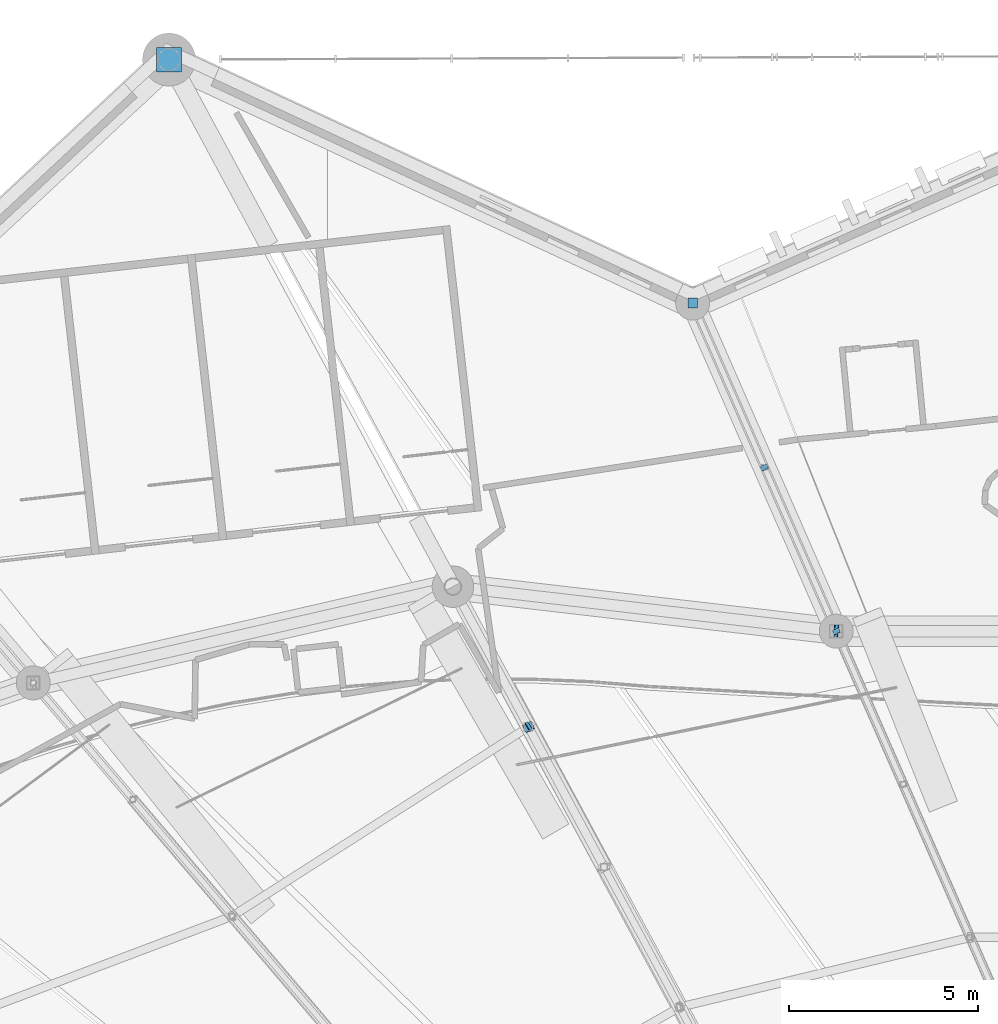
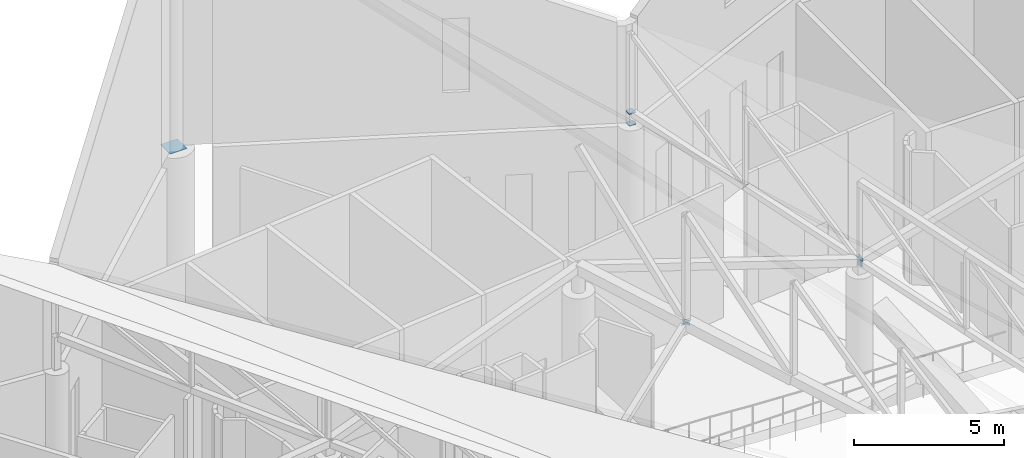
# One storey, part 325 of 344: 10 discrete accessories.
"""IFC4 building model written with IfcOpenShell, lengths in metres."""

import ifcopenshell
import ifcopenshell.guid

model = None  # the IFC model being written
_history = None  # IfcOwnerHistory: only IFC2X3 demands one
_inside = {}  # id of a spatial element -> (the spatial element, [elements in it])
_under = {}  # id of a project, library or spatial element -> (it, [spatial elements below it])
_declared = {}  # id of a project -> (the project, [libraries it declares])
_typed = {}  # id of a type object -> (the type object, [elements of that type])
_made_of = {}  # id of a material, layer set ... -> (it, [elements and type objects made of it])


def new_model(schema):
    """Start an empty IFC model of exactly this schema.

    Asked for "IFC4X3", IfcOpenShell would pick the latest addendum, in which some entities
    have other attributes; the version numbers below select the first issue.
    IFC2X3 requires an IfcOwnerHistory on every rooted entity: one is made here for all.
    """
    global model, _history
    if schema == "IFC4X3":
        model = ifcopenshell.file(schema_version=(4, 3, 0, 0))
    else:
        model = ifcopenshell.file(schema=schema)
    _inside.clear()
    _under.clear()
    _declared.clear()
    _typed.clear()
    _made_of.clear()
    _history = None
    if model.schema == "IFC2X3":
        org = make("IfcOrganization", Name="unknown")
        user = make(
            "IfcPersonAndOrganization",
            ThePerson=make("IfcPerson", FamilyName="unknown"),
            TheOrganization=org,
        )
        app = make(
            "IfcApplication",
            ApplicationDeveloper=org,
            Version="unknown",
            ApplicationFullName="unknown",
            ApplicationIdentifier="unknown",
        )
        _history = make(
            "IfcOwnerHistory",
            OwningUser=user,
            OwningApplication=app,
            ChangeAction="ADDED",
            CreationDate=0,
        )
    return model


def make(cls, **values):
    """One entity of the class cls with the attributes given. An attribute that is None is left unset."""
    return model.create_entity(
        cls, **{name: value for name, value in values.items() if value is not None}
    )


def rooted(cls, **values):
    """An entity with a GlobalId (a new one), such as an element, a storey or a relation."""
    return make(cls, GlobalId=ifcopenshell.guid.new(), OwnerHistory=_history, **values)


def si_unit(unit_type, name, prefix=None):
    """IfcSIUnit, for example si_unit("LENGTHUNIT", "METRE", prefix="MILLI")."""
    return make("IfcSIUnit", UnitType=unit_type, Prefix=prefix, Name=name)


def assignment(units):
    """IfcUnitAssignment: the units of a project."""
    return None if units is None else make("IfcUnitAssignment", Units=units)


def point(xyz):
    """IfcCartesianPoint."""
    return None if xyz is None else make("IfcCartesianPoint", Coordinates=xyz)


def direction(xyz):
    """IfcDirection."""
    return None if xyz is None else make("IfcDirection", DirectionRatios=xyz)


def frame(location, z_axis=None, x_axis=None):
    """IfcAxis2Placement3D, a coordinate frame: its origin and axes. An axis left out is left unset."""
    return make(
        "IfcAxis2Placement3D",
        Location=point(location),
        Axis=direction(z_axis),
        RefDirection=direction(x_axis),
    )


def frame_2d(location, x_axis=None):
    """IfcAxis2Placement2D, a coordinate frame in the plane: its origin and x axis."""
    return make(
        "IfcAxis2Placement2D", Location=point(location), RefDirection=direction(x_axis)
    )


def origin():
    """The frame at (0, 0, 0) with its axes left unset."""
    return frame((0.0, 0.0, 0.0))


def origin_2d():
    """The frame at (0, 0) in the plane with its x axis left unset."""
    return frame_2d((0.0, 0.0))


def place(relative_to, where):
    """IfcLocalPlacement: puts the frame where relative to a parent placement (None: the world)."""
    return make(
        "IfcLocalPlacement", PlacementRelTo=relative_to, RelativePlacement=where
    )


def context(
    kind, dimensions, precision=None, world=None, true_north=None, identifier=None
):
    """IfcGeometricRepresentationContext, for example the 3D "Model" context."""
    return make(
        "IfcGeometricRepresentationContext",
        ContextIdentifier=identifier,
        ContextType=kind,
        CoordinateSpaceDimension=dimensions,
        Precision=precision,
        WorldCoordinateSystem=world,
        TrueNorth=true_north,
    )


def subcontext(parent, identifier, kind, view, scale=None):
    """IfcGeometricRepresentationSubContext, for example "Body" below "Model"."""
    return make(
        "IfcGeometricRepresentationSubContext",
        ContextIdentifier=identifier,
        ContextType=kind,
        ParentContext=parent,
        TargetScale=scale,
        TargetView=view,
    )


def project(units=None, contexts=None):
    """IfcProject with its units and contexts."""
    return rooted(
        "IfcProject",
        Name="project",
        RepresentationContexts=contexts,
        UnitsInContext=assignment(units),
    )


def spatial(cls, under=None, at=None, **own):
    """A site, building, storey or space (cls), placed at a placement, below another one or the project."""
    s = rooted(cls, ObjectPlacement=at, **own)
    if under is not None:
        _under.setdefault(under.id(), (under, []))[1].append(s)
    return s


def profile(cls, at=None, kind="AREA", **sizes):
    """A parametric profile (cls). Its sizes go by their IFC names, for example OverallWidth=200.0."""
    return make(cls, ProfileType=kind, Position=at, **sizes)


def rectangle(**sizes):
    """IfcRectangleProfileDef."""
    return profile("IfcRectangleProfileDef", **sizes)


def extrude(swept, where, along, depth):
    """IfcExtrudedAreaSolid: the profile swept, set in the frame where, extruded along a direction by depth."""
    return make(
        "IfcExtrudedAreaSolid",
        SweptArea=swept,
        Position=where,
        ExtrudedDirection=direction(along),
        Depth=depth,
    )


def shape(context_of_items, identifier, shape_type, items):
    """IfcShapeRepresentation: the items that make up one representation, for example the "Body"."""
    return make(
        "IfcShapeRepresentation",
        ContextOfItems=context_of_items,
        RepresentationIdentifier=identifier,
        RepresentationType=shape_type,
        Items=items,
    )


def material(Name=None, Category=None):
    """IfcMaterial."""
    return make("IfcMaterial", Name=Name, Category=Category)


def material_profile(
    of_material, cross_section, Name=None, Category=None, Priority=None
):
    """IfcMaterialProfile: a cross section and its material."""
    return make(
        "IfcMaterialProfile",
        Name=Name,
        Material=of_material,
        Profile=cross_section,
        Priority=Priority,
        Category=Category,
    )


def profile_set(profiles, Name=None, composite=None):
    """IfcMaterialProfileSet."""
    return make(
        "IfcMaterialProfileSet",
        Name=Name,
        MaterialProfiles=profiles,
        CompositeProfile=composite,
    )


def made_of(thing, what):
    """Note that an element or type object is made of a material, layer set ...; save() writes the relation."""
    if what is not None:
        _made_of.setdefault(what.id(), (what, []))[1].append(thing)
    return thing


def type_object(cls, material=None, **own):
    """A type object (cls), such as IfcWallType, which elements share."""
    return made_of(rooted(cls, **own), material)


def element(
    cls,
    number,
    at=None,
    inside=None,
    cuts=None,
    type_object=None,
    material=None,
    context=None,
    identifier="Body",
    shape_type=None,
    held_by="IfcProductDefinitionShape",
    body=None,
    shapes=None,
    **own,
):
    """One element of the class cls, such as IfcWall. Its Tag is "e" and its number.

    at: its placement. inside: the storey or other place that contains it. cuts: it is an
    opening in that element (IfcRelVoidsElement). A single representation is given by context,
    identifier, shape_type and body (its items); several are given by shapes. held_by: the class
    of the entity that holds the representations. save() writes the other relations.
    """
    e = rooted(cls, Tag="e%d" % number, ObjectPlacement=at, **own)
    if body is not None:
        shapes = [shape(context, identifier, shape_type, body)]
    if shapes is not None:
        e.Representation = make(held_by, Representations=shapes)
    if inside is not None:
        _inside.setdefault(inside.id(), (inside, []))[1].append(e)
    if cuts is not None:
        rooted(
            "IfcRelVoidsElement", RelatingBuildingElement=cuts, RelatedOpeningElement=e
        )
    if type_object is not None:
        _typed.setdefault(type_object.id(), (type_object, []))[1].append(e)
    return made_of(e, material)


def aggregate(whole, parts):
    """IfcRelAggregates: a whole, such as a stair, and the parts it consists of."""
    return rooted("IfcRelAggregates", RelatingObject=whole, RelatedObjects=parts)


def save(model, path):
    """Write the relations noted so far, then the file.

    IfcRelAggregates (storeys below a building ...), IfcRelContainedInSpatialStructure (elements
    in a storey), IfcRelDefinesByType, IfcRelAssociatesMaterial and IfcRelDeclares: one each for
    every whole, place, type object, material and project.
    """
    for whole, parts in _under.values():
        aggregate(whole, parts)
    for where, things in _inside.values():
        rooted(
            "IfcRelContainedInSpatialStructure",
            RelatedElements=things,
            RelatingStructure=where,
        )
    for kind, things in _typed.values():
        rooted("IfcRelDefinesByType", RelatedObjects=things, RelatingType=kind)
    for what, things in _made_of.values():
        rooted("IfcRelAssociatesMaterial", RelatedObjects=things, RelatingMaterial=what)
    for by, libraries in _declared.values():
        rooted("IfcRelDeclares", RelatingContext=by, RelatedDefinitions=libraries)
    model.write(path)


model = new_model("IFC4")

# Units and contexts
model_context = context("Model", 3, precision=1e-05, world=origin(), true_north=direction((0.0, 1.0)))
body_context = subcontext(model_context, "Body", "Model", "MODEL_VIEW")
ifc_project = project(units=[si_unit("LENGTHUNIT", "METRE"), si_unit("AREAUNIT", "SQUARE_METRE"), si_unit("VOLUMEUNIT", "CUBIC_METRE"), si_unit("PLANEANGLEUNIT", "RADIAN"), si_unit("MASSUNIT", "GRAM", prefix="KILO")], contexts=[model_context])

# Site, building, storey
site_placement = place(None, origin())
site = spatial("IfcSite", under=ifc_project, at=site_placement, CompositionType="ELEMENT")
building_placement = place(site_placement, origin())
building = spatial("IfcBuilding", under=site, at=building_placement, Name="Meseta Stadium", CompositionType="ELEMENT")
storey_placement = place(building_placement, frame((0.0, 0.0, 24.0)))
storey = spatial("IfcBuildingStorey", under=building, at=storey_placement, Name="L04", CompositionType="ELEMENT", Elevation=24.0)

# Discrete accessories
ifc_material_1 = material(Name="Steel S355", Category="steel")
ifc_material_profile_1 = material_profile(ifc_material_1, rectangle(XDim=0.179931640625, YDim=0.179931640625, at=origin_2d()), Name="PL 180x180")
ifc_profile_set_1 = profile_set([ifc_material_profile_1], Name="Steel S355")
discrete_accessory_type_1 = type_object("IfcDiscreteAccessoryType", Name="End plate 180x180x20", PredefinedType="ANCHORPLATE", material=ifc_profile_set_1)
for number, where, z_axis, x_axis, name in (
    (1, (-34.524658203125, 89.898193359375, 4.324951171875), (-0.305949199028, 0.685326205822, 0.6608502699), (-0.913137882438, -0.407650840374, 0.0), "End plate of ROOF TRUSS RT-21 diagonal"),
    (2, (-36.426025390625, 94.242431640625, 5.394775390625), (-0.305995030681, 0.673189067498, 0.673189067498), (-0.910366477463, -0.413802944301, 0.0), "End plate of ROOF TRUSS RT-21 diagonal"),
):
    element("IfcDiscreteAccessory", number, at=place(storey_placement, frame(where, z_axis=z_axis, x_axis=x_axis)), inside=storey, type_object=discrete_accessory_type_1, Name=name, PredefinedType="ANCHORPLATE", context=body_context, shape_type="SweptSolid", body=[
        extrude(rectangle(XDim=0.179931640625, YDim=0.179931640625, at=origin_2d()), origin(), (0.0, 0.0, 1.0), 0.02001953125),
    ])
ifc_material_2 = material(Name="Steel S355", Category="steel")
ifc_material_profile_2 = material_profile(ifc_material_2, rectangle(XDim=0.260009765625, YDim=0.260009765625, at=origin_2d()), Name="PL 260x260")
ifc_profile_set_2 = profile_set([ifc_material_profile_2], Name="Steel S355")
discrete_accessory_type_2 = type_object("IfcDiscreteAccessoryType", Name="End plate 260x260x20", PredefinedType="ANCHORPLATE", material=ifc_profile_set_2)
discrete_accessory_1_placement = place(storey_placement, frame((-38.333251953125, 98.60009765625, 6.4580078125), z_axis=(0.0, 0.0, 1.0), x_axis=(1.0, 0.0, 0.0)))
element("IfcDiscreteAccessory", 3, at=discrete_accessory_1_placement, inside=storey, type_object=discrete_accessory_type_2, Name="End plate of ROOF TRUSS RT-21 post", PredefinedType="ANCHORPLATE", context=body_context, shape_type="SweptSolid", body=[
    extrude(rectangle(XDim=0.260009765625, YDim=0.260009765625, at=origin_2d()), origin(), (0.0, 0.0, 1.0), 0.02001953125),
])
discrete_accessory_2_placement = place(storey_placement, frame((-42.6767578125, 87.367431640625, 6.2099609375), z_axis=(-0.2830461079, 0.529173158248, 0.79991291363), x_axis=(-0.881784641935, -0.471652250337, 0.0)))
element("IfcDiscreteAccessory", 4, at=discrete_accessory_2_placement, inside=storey, type_object=discrete_accessory_type_2, Name="End plate of ROOF TRUSS RT-22 diagonal", PredefinedType="ANCHORPLATE", context=body_context, shape_type="SweptSolid", body=[
    extrude(rectangle(XDim=0.260009765625, YDim=0.260009765625, at=origin_2d()), origin(), (0.0, 0.0, 1.0), 0.019775390625),
])
for number, where, z_axis, x_axis, name in (
    (5, (-38.333251953125, 98.60009765625, 5.97998046875), (0.0, 0.0, 1.0), (1.0, 0.0, 0.0), "End plate of ROOF RIM POST RT-21"),
    (6, (-38.333251953125, 98.60009765625, 6.47802734375), (0.0, 0.0, 1.0), (1.0, 0.0, 0.0), "End plate of ROOF RIM POST RT-21"),
    (7, (-42.666259765625, 87.38818359375, 6.2314453125), (-0.809404787911, -0.515075774125, -0.282065304878), (0.536875492193, -0.843661487732, 0.0), "End plate of ROOF TRUSS STRUT RT-22/23"),
):
    element("IfcDiscreteAccessory", number, at=place(storey_placement, frame(where, z_axis=z_axis, x_axis=x_axis)), inside=storey, type_object=discrete_accessory_type_2, Name=name, PredefinedType="ANCHORPLATE", context=body_context, shape_type="SweptSolid", body=[
        extrude(rectangle(XDim=0.260009765625, YDim=0.260009765625, at=origin_2d()), origin(), (0.0, 0.0, 1.0), 0.02001953125),
    ])
ifc_material_3 = material(Name="Steel S355", Category="steel")
ifc_material_profile_3 = material_profile(ifc_material_3, rectangle(XDim=0.340087890625, YDim=0.340087890625, at=origin_2d()), Name="PL 340x340")
ifc_profile_set_3 = profile_set([ifc_material_profile_3], Name="Steel S355")
discrete_accessory_type_3 = type_object("IfcDiscreteAccessoryType", Name="End plate 340x340x20", PredefinedType="ANCHORPLATE", material=ifc_profile_set_3)
for number, where, z_axis, x_axis, name in (
    (8, (-34.53076171875, 89.911865234375, 4.338134765625), (-0.963343002143, 0.0, -0.268272734774), (0.0, -1.0, 0.0), "End plate of ROOF PIVOT STRUT RT-20/21"),
    (9, (-34.511474609375, 89.90966796875, 4.333251953125), (-0.963557946105, 0.10977242424, 0.243938720533), (-0.113191877531, -0.993573147212, 0.0), "End plate of ROOF PIVOT STRUT RT-21/22"),
):
    element("IfcDiscreteAccessory", number, at=place(storey_placement, frame(where, z_axis=z_axis, x_axis=x_axis)), inside=storey, type_object=discrete_accessory_type_3, Name=name, PredefinedType="ANCHORPLATE", context=body_context, shape_type="SweptSolid", body=[
        extrude(rectangle(XDim=0.340087890625, YDim=0.340087890625, at=origin_2d()), origin(), (0.0, 0.0, 1.0), 0.02001953125),
    ])
ifc_material_4 = material(Name="Steel S355", Category="steel")
ifc_material_profile_4 = material_profile(ifc_material_4, rectangle(XDim=0.64990234375, YDim=0.64990234375, at=origin_2d()), Name="PL 650x650")
ifc_profile_set_4 = profile_set([ifc_material_profile_4], Name="Steel S355")
discrete_accessory_type_4 = type_object("IfcDiscreteAccessoryType", Name="End plate 650x650x20", PredefinedType="ANCHORPLATE", material=ifc_profile_set_4)
discrete_accessory_3_placement = place(storey_placement, frame((-52.202880859375, 105.0517578125, 5.97998046875), z_axis=(0.0, 0.0, 1.0), x_axis=(1.0, 0.0, 0.0)))
element("IfcDiscreteAccessory", 10, at=discrete_accessory_3_placement, inside=storey, type_object=discrete_accessory_type_4, Name="End plate of GABLE ARCH GA-N pylon post", PredefinedType="ANCHORPLATE", context=body_context, shape_type="SweptSolid", body=[
    extrude(rectangle(XDim=0.64990234375, YDim=0.64990234375, at=origin_2d()), origin(), (0.0, 0.0, 1.0), 0.02001953125),
])

save(model, "model.ifc")
